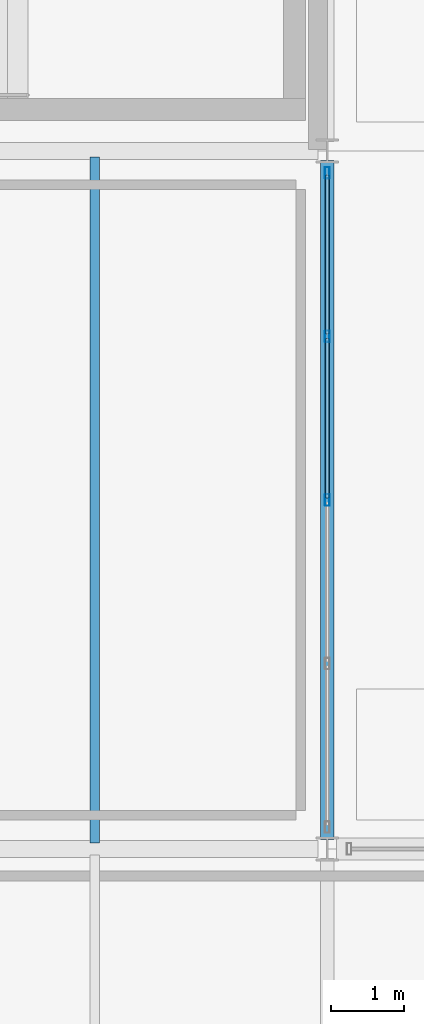
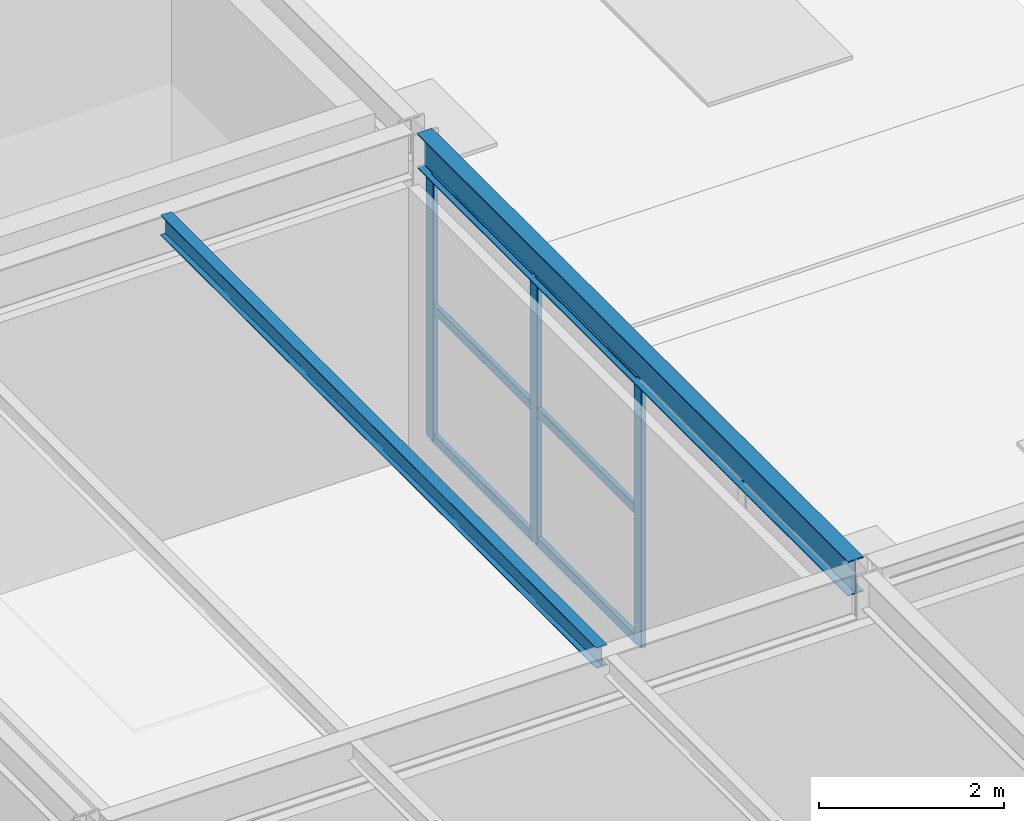
# One storey, part 17 of 50: 9 members, 2 beams, 1 element without a shape of its own.
"""IFC4 building model written with IfcOpenShell, lengths in metres."""

from ifc_helpers import new_model, si_unit, direction, frame, origin, origin_2d, place, context, subcontext, project, spatial, hollow_rectangle, i_section, extrude, material, material_profile, profile_set, type_object, element, aggregate, save


model = new_model("IFC4")

# Units and contexts
model_context = context("Model", 3, precision=1e-05, world=origin(), true_north=direction((0.0, 1.0)))
body_context = subcontext(model_context, "Body", "Model", "MODEL_VIEW")
ifc_project = project(units=[si_unit("LENGTHUNIT", "METRE"), si_unit("AREAUNIT", "SQUARE_METRE"), si_unit("VOLUMEUNIT", "CUBIC_METRE"), si_unit("PLANEANGLEUNIT", "RADIAN"), si_unit("MASSUNIT", "GRAM", prefix="KILO")], contexts=[model_context])

# Site, building, storey
site_placement = place(None, origin())
site = spatial("IfcSite", under=ifc_project, at=site_placement, CompositionType="ELEMENT")
building_placement = place(site_placement, origin())
building = spatial("IfcBuilding", under=site, at=building_placement, Name="Coralgate Yard Interchange", CompositionType="ELEMENT")
storey_placement = place(building_placement, frame((0.0, 0.0, 14.699951171875)))
storey = spatial("IfcBuildingStorey", under=building, at=storey_placement, Name="L03", CompositionType="ELEMENT", Elevation=14.699951171875)

# Beams
ifc_material_1 = material(Name="Structural steel S355J2", Category="steel")
ifc_material_profile_1 = material_profile(ifc_material_1, i_section(OverallWidth=0.1904296875, OverallDepth=0.45703125, WebThickness=0.009033203125, FlangeThickness=0.014404296875, FilletRadius=0.01025390625, at=origin_2d()), Name="UB 457x191x74")
ifc_profile_set_1 = profile_set([ifc_material_profile_1], Name="Structural steel S355J2")
beam_type_1 = type_object("IfcBeamType", Name="BM-SB-2", PredefinedType="BEAM", material=ifc_profile_set_1)
beam_1_placement = place(storey_placement, frame((19.199951171875, 19.33349609375, 3.721435546875), z_axis=(0.0, 1.0, 0.0), x_axis=(-1.0, 0.0, 0.0)))
element("IfcBeam", 1, at=beam_1_placement, inside=storey, type_object=beam_type_1, Name="L03 primary grid girder X2 Y2-3", PredefinedType="BEAM", context=body_context, shape_type="SweptSolid", body=[
    extrude(i_section(OverallWidth=0.1904296875, OverallDepth=0.45703125, WebThickness=0.009033203125, FlangeThickness=0.014404296875, FilletRadius=0.01025390625, at=origin_2d()), origin(), (0.0, 0.0, 1.0), 9.3330078125),
])
ifc_material_profile_2 = material_profile(ifc_material_1, i_section(OverallWidth=0.135009765625, OverallDepth=0.27001953125, WebThickness=0.006591796875, FlangeThickness=0.01025390625, FilletRadius=0.014892578125, at=origin_2d()), Name="IPE 270")
ifc_profile_set_2 = profile_set([ifc_material_profile_2], Name="Structural steel S355J2")
beam_type_2 = type_object("IfcBeamType", Name="BM-SJ-3", PredefinedType="JOIST", material=ifc_profile_set_2)
beam_2_placement = place(storey_placement, frame((16.0, 19.2841796875, 3.81494140625), z_axis=(0.0, 1.0, 0.0), x_axis=(-1.0, 0.0, 0.0)))
element("IfcBeam", 2, at=beam_2_placement, inside=storey, type_object=beam_type_2, Name="L03 composite floor joist 1-2-2", PredefinedType="JOIST", context=body_context, shape_type="SweptSolid", body=[
    extrude(i_section(OverallWidth=0.135009765625, OverallDepth=0.27001953125, WebThickness=0.006591796875, FlangeThickness=0.01025390625, FilletRadius=0.014892578125, at=origin_2d()), origin(), (0.0, 0.0, 1.0), 9.431640625),
])

# Curtain wall, members
ifc_material_2 = material(Name="Anodised coastal aluminium and solar-control low-E glass", Category="aluminium")
curtain_wall_type = type_object("IfcCurtainWallType", Name="CW-CW-L03-A", PredefinedType="NOTDEFINED", material=ifc_material_2)
curtain_wall_placement = place(storey_placement, origin())
curtain_wall = element("IfcCurtainWall", 3, at=curtain_wall_placement, inside=storey, type_object=curtain_wall_type, Name="L03 unitised curtain wall CW-L03-E-01-02", PredefinedType="NOTDEFINED")
ifc_material_3 = material(Name="Anodised coastal aluminium 6063-T6", Category="aluminium")
ifc_material_profile_3 = material_profile(ifc_material_3, hollow_rectangle(XDim=0.06494140625, YDim=0.159912109375, WallThickness=0.00390625, InnerFilletRadius=0.00390625, OuterFilletRadius=0.008056640625, at=origin_2d()), Name="ALU 65x160x4")
ifc_profile_set_3 = profile_set([ifc_material_profile_3], Name="Anodised coastal aluminium 6063-T6")
member_type_1 = type_object("IfcMemberType", Name="MB-MUL-160", PredefinedType="MULLION", material=ifc_profile_set_3)
member_1_placement = place(storey_placement, frame((19.199951171875, 28.5, 0.0), z_axis=(0.0, 0.0, 1.0), x_axis=(1.0, 0.0, 0.0)))
member_1 = element("IfcMember", 4, at=member_1_placement, type_object=member_type_1, Name="CW-L03-E-01-02 vertical mullion 1", PredefinedType="MULLION", context=body_context, shape_type="SweptSolid", body=[
    extrude(hollow_rectangle(XDim=0.06494140625, YDim=0.159912109375, WallThickness=0.00390625, InnerFilletRadius=0.00390625, OuterFilletRadius=0.008056640625, at=origin_2d()), origin(), (0.0, 0.0, 1.0), 3.4931640625),
])
member_2_placement = place(storey_placement, frame((19.199951171875, 26.25, 0.0), z_axis=(0.0, 0.0, 1.0), x_axis=(1.0, 0.0, 0.0)))
member_2 = element("IfcMember", 5, at=member_2_placement, type_object=member_type_1, Name="CW-L03-E-01-02 vertical mullion 2", PredefinedType="MULLION", context=body_context, shape_type="SweptSolid", body=[
    extrude(hollow_rectangle(XDim=0.06494140625, YDim=0.159912109375, WallThickness=0.00390625, InnerFilletRadius=0.00390625, OuterFilletRadius=0.008056640625, at=origin_2d()), origin(), (0.0, 0.0, 1.0), 3.4931640625),
])
member_3_placement = place(storey_placement, frame((19.199951171875, 24.0, 0.0), z_axis=(0.0, 0.0, 1.0), x_axis=(1.0, 0.0, 0.0)))
member_3 = element("IfcMember", 6, at=member_3_placement, type_object=member_type_1, Name="CW-L03-E-01-02 vertical mullion 3", PredefinedType="MULLION", context=body_context, shape_type="SweptSolid", body=[
    extrude(hollow_rectangle(XDim=0.06494140625, YDim=0.159912109375, WallThickness=0.00390625, InnerFilletRadius=0.00390625, OuterFilletRadius=0.008056640625, at=origin_2d()), origin(), (0.0, 0.0, 1.0), 3.4931640625),
])
ifc_material_profile_4 = material_profile(ifc_material_3, hollow_rectangle(XDim=0.06005859375, YDim=0.1201171875, WallThickness=0.00341796875, InnerFilletRadius=0.00341796875, OuterFilletRadius=0.007080078125, at=origin_2d()), Name="ALU 60x120x3.5")
ifc_profile_set_4 = profile_set([ifc_material_profile_4], Name="Anodised coastal aluminium 6063-T6")
member_type_2 = type_object("IfcMemberType", Name="MB-TRN-120", PredefinedType="USERDEFINED", material=ifc_profile_set_4)
member_4_placement = place(storey_placement, frame((19.199951171875, 28.469970703125, 0.03515625), z_axis=(0.0, -1.0, 0.0), x_axis=(1.0, 0.0, 0.0)))
member_4 = element("IfcMember", 7, at=member_4_placement, type_object=member_type_2, Name="CW-L03-E-01-02 horizontal transom 1-1", ObjectType="TRANSOM", PredefinedType="USERDEFINED", context=body_context, shape_type="SweptSolid", body=[
    extrude(hollow_rectangle(XDim=0.06005859375, YDim=0.1201171875, WallThickness=0.00341796875, InnerFilletRadius=0.00341796875, OuterFilletRadius=0.007080078125, at=origin_2d()), origin(), (0.0, 0.0, 1.0), 2.18994140625),
])
member_5_placement = place(storey_placement, frame((19.199951171875, 28.469970703125, 1.74658203125), z_axis=(0.0, -1.0, 0.0), x_axis=(1.0, 0.0, 0.0)))
member_5 = element("IfcMember", 8, at=member_5_placement, type_object=member_type_2, Name="CW-L03-E-01-02 horizontal transom 1-2", ObjectType="TRANSOM", PredefinedType="USERDEFINED", context=body_context, shape_type="SweptSolid", body=[
    extrude(hollow_rectangle(XDim=0.06005859375, YDim=0.1201171875, WallThickness=0.00341796875, InnerFilletRadius=0.00341796875, OuterFilletRadius=0.007080078125, at=origin_2d()), origin(), (0.0, 0.0, 1.0), 2.18994140625),
])
member_6_placement = place(storey_placement, frame((19.199951171875, 28.469970703125, 3.4580078125), z_axis=(0.0, -1.0, 0.0), x_axis=(1.0, 0.0, 0.0)))
member_6 = element("IfcMember", 9, at=member_6_placement, type_object=member_type_2, Name="CW-L03-E-01-02 horizontal transom 1-3", ObjectType="TRANSOM", PredefinedType="USERDEFINED", context=body_context, shape_type="SweptSolid", body=[
    extrude(hollow_rectangle(XDim=0.06005859375, YDim=0.1201171875, WallThickness=0.00341796875, InnerFilletRadius=0.00341796875, OuterFilletRadius=0.007080078125, at=origin_2d()), origin(), (0.0, 0.0, 1.0), 2.18994140625),
])
member_7_placement = place(storey_placement, frame((19.199951171875, 26.219970703125, 0.03515625), z_axis=(0.0, -1.0, 0.0), x_axis=(1.0, 0.0, 0.0)))
member_7 = element("IfcMember", 10, at=member_7_placement, type_object=member_type_2, Name="CW-L03-E-01-02 horizontal transom 2-1", ObjectType="TRANSOM", PredefinedType="USERDEFINED", context=body_context, shape_type="SweptSolid", body=[
    extrude(hollow_rectangle(XDim=0.06005859375, YDim=0.1201171875, WallThickness=0.00341796875, InnerFilletRadius=0.00341796875, OuterFilletRadius=0.007080078125, at=origin_2d()), origin(), (0.0, 0.0, 1.0), 2.18994140625),
])
member_8_placement = place(storey_placement, frame((19.199951171875, 26.219970703125, 1.74658203125), z_axis=(0.0, -1.0, 0.0), x_axis=(1.0, 0.0, 0.0)))
member_8 = element("IfcMember", 11, at=member_8_placement, type_object=member_type_2, Name="CW-L03-E-01-02 horizontal transom 2-2", ObjectType="TRANSOM", PredefinedType="USERDEFINED", context=body_context, shape_type="SweptSolid", body=[
    extrude(hollow_rectangle(XDim=0.06005859375, YDim=0.1201171875, WallThickness=0.00341796875, InnerFilletRadius=0.00341796875, OuterFilletRadius=0.007080078125, at=origin_2d()), origin(), (0.0, 0.0, 1.0), 2.18994140625),
])
member_9_placement = place(storey_placement, frame((19.199951171875, 26.219970703125, 3.4580078125), z_axis=(0.0, -1.0, 0.0), x_axis=(1.0, 0.0, 0.0)))
member_9 = element("IfcMember", 12, at=member_9_placement, type_object=member_type_2, Name="CW-L03-E-01-02 horizontal transom 2-3", ObjectType="TRANSOM", PredefinedType="USERDEFINED", context=body_context, shape_type="SweptSolid", body=[
    extrude(hollow_rectangle(XDim=0.06005859375, YDim=0.1201171875, WallThickness=0.00341796875, InnerFilletRadius=0.00341796875, OuterFilletRadius=0.007080078125, at=origin_2d()), origin(), (0.0, 0.0, 1.0), 2.18994140625),
])
aggregate(curtain_wall, [member_1, member_2, member_3, member_4, member_5, member_6, member_7, member_8, member_9])

save(model, "model.ifc")
